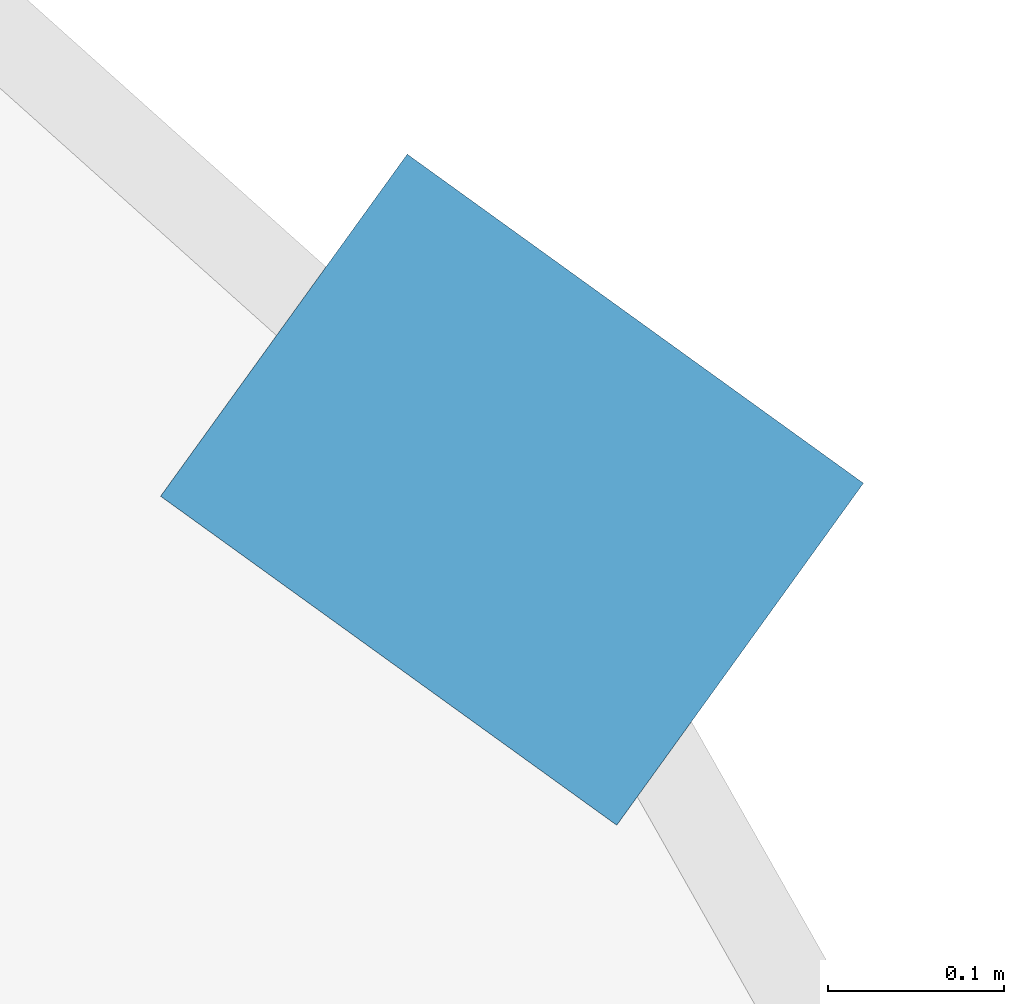
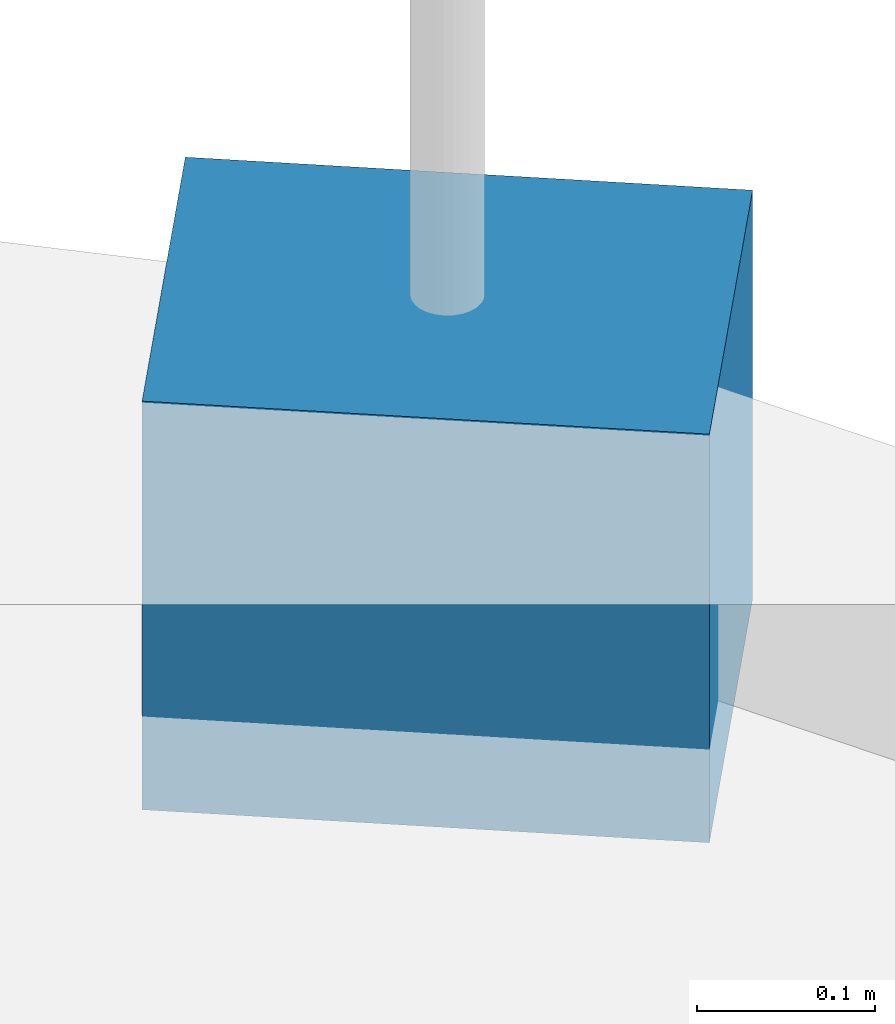
# One storey, part 23 of 25: 1 discrete accessory.
"""IFC4 building model written with IfcOpenShell, lengths in metres."""

from ifc_helpers import new_model, si_unit, direction, frame, origin, origin_2d, place, context, subcontext, project, spatial, rectangle, extrude, material, type_object, element, save


model = new_model("IFC4")

# Units and contexts
model_context = context("Model", 3, precision=1e-05, world=origin(), true_north=direction((0.0, 1.0)))
body_context = subcontext(model_context, "Body", "Model", "MODEL_VIEW")
ifc_project = project(units=[si_unit("LENGTHUNIT", "METRE"), si_unit("AREAUNIT", "SQUARE_METRE"), si_unit("VOLUMEUNIT", "CUBIC_METRE"), si_unit("PLANEANGLEUNIT", "RADIAN"), si_unit("MASSUNIT", "GRAM", prefix="KILO")], contexts=[model_context])

# Site, building, storey
site_placement = place(None, origin())
site = spatial("IfcSite", under=ifc_project, at=site_placement, CompositionType="ELEMENT")
building_placement = place(site_placement, origin())
building = spatial("IfcBuilding", under=site, at=building_placement, Name="Solvirekh Grand Hotel", CompositionType="ELEMENT")
storey_placement = place(building_placement, frame((0.0, 0.0, 120.60009765625)))
storey = spatial("IfcBuildingStorey", under=building, at=storey_placement, Name="L30", CompositionType="ELEMENT", Elevation=120.60009765625)

# Discrete accessory
ifc_material = material(Name="Steel S355", Category="steel")
discrete_accessory_type = type_object("IfcDiscreteAccessoryType", Name="Acc_ThermalBracket", PredefinedType="BRACKET", material=ifc_material)
discrete_accessory_placement = place(storey_placement, frame((18.221923828125, 12.860107421875, -0.2802734375), z_axis=(0.0, 0.0, 1.0), x_axis=(0.811063818989, -0.584957674987, 0.0)))
element("IfcDiscreteAccessory", 1, at=discrete_accessory_placement, inside=storey, type_object=discrete_accessory_type, Name="L30 balcony thermal-break bracket", PredefinedType="BRACKET", context=body_context, shape_type="SweptSolid", body=[
    extrude(rectangle(XDim=0.320068359375, YDim=0.239990234375, at=origin_2d()), origin(), (0.0, 0.0, 1.0), 0.280029296875),
])

save(model, "model.ifc")
